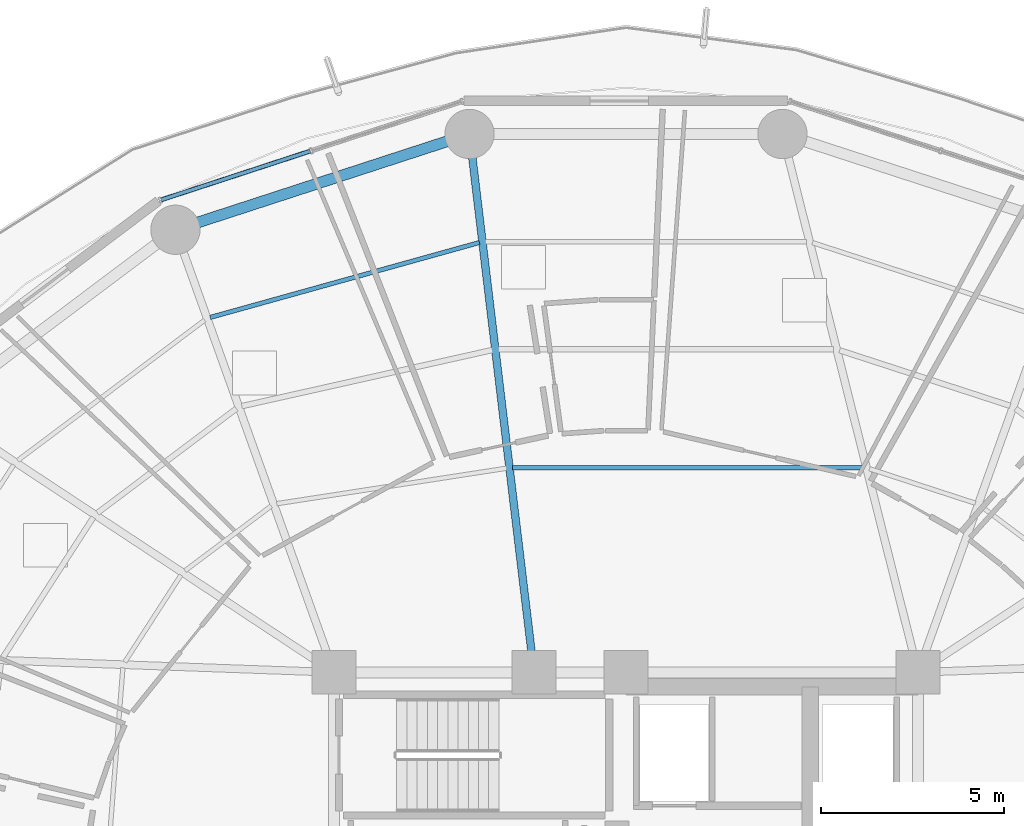
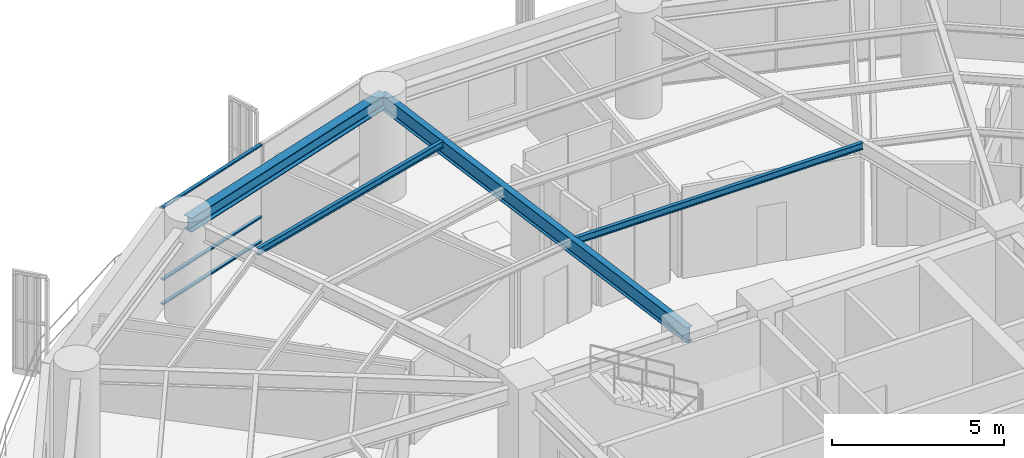
# One storey, part 21 of 37: 4 beams, 3 members, 1 element without a shape of its own.
"""IFC4 building model written with IfcOpenShell, lengths in metres."""

from ifc_helpers import new_model, si_unit, direction, frame, origin, origin_2d, place, context, subcontext, project, spatial, hollow_rectangle, i_section, extrude, material, layer, layer_set, material_profile, profile_set, type_object, element, aggregate, save


model = new_model("IFC4")

# Units and contexts
model_context = context("Model", 3, precision=1e-05, world=origin(), true_north=direction((0.0, 1.0)))
body_context = subcontext(model_context, "Body", "Model", "MODEL_VIEW")
ifc_project = project(units=[si_unit("LENGTHUNIT", "METRE"), si_unit("AREAUNIT", "SQUARE_METRE"), si_unit("VOLUMEUNIT", "CUBIC_METRE"), si_unit("PLANEANGLEUNIT", "RADIAN"), si_unit("MASSUNIT", "GRAM", prefix="KILO")], contexts=[model_context])

# Site, building, storey
site_placement = place(None, origin())
site = spatial("IfcSite", under=ifc_project, at=site_placement, CompositionType="ELEMENT")
building_placement = place(site_placement, origin())
building = spatial("IfcBuilding", under=site, at=building_placement, Name="Kelanora Arch Commons", CompositionType="ELEMENT")
storey_placement = place(building_placement, frame((0.0, 0.0, 110.10009765625)))
storey = spatial("IfcBuildingStorey", under=building, at=storey_placement, Name="L28", CompositionType="ELEMENT", Elevation=110.10009765625)

# Beams
ifc_material_1 = material(Name="Steel S355", Category="steel")
ifc_material_profile_1 = material_profile(ifc_material_1, i_section(OverallWidth=0.1201171875, OverallDepth=0.239990234375, WebThickness=0.006103515625, FlangeThickness=0.009765625, FilletRadius=0.014892578125, at=origin_2d()), Name="IPE240")
ifc_profile_set_1 = profile_set([ifc_material_profile_1], Name="Steel S355")
beam_type_1 = type_object("IfcBeamType", Name="BM-JST-02", PredefinedType="JOIST", material=ifc_profile_set_1)
beam_1_placement = place(storey_placement, frame((80.50341796875, 70.602783203125, 3.369873046875), z_axis=(-1.0, 0.0, 0.0), x_axis=(0.0, -1.0, 0.0)))
element("IfcBeam", 1, at=beam_1_placement, inside=storey, type_object=beam_type_1, Name="Secondary Chord Joist BJA-08 L28", PredefinedType="JOIST", context=body_context, shape_type="SweptSolid", body=[
    extrude(i_section(OverallWidth=0.1201171875, OverallDepth=0.239990234375, WebThickness=0.006103515625, FlangeThickness=0.009765625, FilletRadius=0.014892578125, at=origin_2d()), origin(), (0.0, 0.0, 1.0), 9.609375),
])
beam_2_placement = place(storey_placement, frame((69.985595703125, 76.77294921875, 3.369873046875), z_axis=(-0.963385760896, -0.268119144603, 0.0), x_axis=(0.268119144603, -0.963385760896, 0.0)))
element("IfcBeam", 2, at=beam_2_placement, inside=storey, type_object=beam_type_1, Name="Secondary Chord Joist BJC-10 L28", PredefinedType="JOIST", context=body_context, shape_type="SweptSolid", body=[
    extrude(i_section(OverallWidth=0.1201171875, OverallDepth=0.239990234375, WebThickness=0.006103515625, FlangeThickness=0.009765625, FilletRadius=0.014892578125, at=origin_2d()), origin(), (0.0, 0.0, 1.0), 7.656005859375),
])
ifc_material_profile_2 = material_profile(ifc_material_1, i_section(OverallWidth=0.2099609375, OverallDepth=0.550048828125, WebThickness=0.010986328125, FlangeThickness=0.01708984375, FilletRadius=0.02392578125, at=origin_2d()), Name="IPE550")
ifc_profile_set_2 = profile_set([ifc_material_profile_2], Name="Steel S355")
beam_type_2 = type_object("IfcBeamType", Name="BM-RAD-Z2", PredefinedType="BEAM", material=ifc_profile_set_2)
beam_3_placement = place(storey_placement, frame((71.47998046875, 65.0, 3.21484375), z_axis=(-0.118897572414, 0.992906524943, 0.0), x_axis=(-0.992906524943, -0.118897572414, 0.0)))
element("IfcBeam", 3, at=beam_3_placement, inside=storey, type_object=beam_type_2, Name="Radial Floor Girder BR-10 L28", PredefinedType="BEAM", context=body_context, shape_type="SweptSolid", body=[
    extrude(i_section(OverallWidth=0.2099609375, OverallDepth=0.550048828125, WebThickness=0.010986328125, FlangeThickness=0.01708984375, FilletRadius=0.02392578125, at=origin_2d()), origin(), (0.0, 0.0, 1.0), 14.849853515625),
])
ifc_material_profile_3 = material_profile(ifc_material_1, i_section(OverallWidth=0.300048828125, OverallDepth=0.5, WebThickness=0.014404296875, FlangeThickness=0.028076171875, FilletRadius=0.027099609375, at=origin_2d()), Name="HEB500")
ifc_profile_set_3 = profile_set([ifc_material_profile_3], Name="Steel S355")
beam_type_3 = type_object("IfcBeamType", Name="BM-SPN-Z2", PredefinedType="SPANDREL", material=ifc_profile_set_3)
beam_4_placement = place(storey_placement, frame((69.71435546875, 79.74462890625, 3.239990234375), z_axis=(-0.950856631974, -0.309631499418, 0.0), x_axis=(0.309631499418, -0.950856631974, 0.0)))
element("IfcBeam", 4, at=beam_4_placement, inside=storey, type_object=beam_type_3, Name="Perimeter Spandrel Beam BS-10 L28", PredefinedType="SPANDREL", context=body_context, shape_type="SweptSolid", body=[
    extrude(i_section(OverallWidth=0.300048828125, OverallDepth=0.5, WebThickness=0.014404296875, FlangeThickness=0.028076171875, FilletRadius=0.027099609375, at=origin_2d()), origin(), (0.0, 0.0, 1.0), 8.470703125),
])

# Curtain wall, members
ifc_material_2 = material(Name="Terracotta ceramic-fritted low-E glass and aluminium", Category="masonry")
ifc_layer = layer(ifc_material_2, 0.159912109375)
ifc_layer_set = layer_set([ifc_layer], Name="Terracotta ceramic-fritted low-E glass and aluminium")
curtain_wall_type = type_object("IfcCurtainWallType", Name="CW-SYS-01", PredefinedType="NOTDEFINED", material=ifc_layer_set)
curtain_wall_placement = place(storey_placement, origin())
curtain_wall = element("IfcCurtainWall", 5, at=curtain_wall_placement, inside=storey, type_object=curtain_wall_type, Name="Unitised Curtain Wall L28-B05", PredefinedType="NOTDEFINED")
ifc_material_3 = material(Name="Powder-coated aluminium terracotta", Category="masonry")
ifc_material_profile_4 = material_profile(ifc_material_3, hollow_rectangle(XDim=0.1201171875, YDim=0.06005859375, WallThickness=0.0048828125, InnerFilletRadius=0.0048828125, OuterFilletRadius=0.010009765625, at=origin_2d()), Name="CWT120x60")
ifc_profile_set_4 = profile_set([ifc_material_profile_4], Name="Powder-coated aluminium terracotta")
member_type = type_object("IfcMemberType", Name="CWT-STD", PredefinedType="USERDEFINED", material=ifc_profile_set_4)
member_1_placement = place(storey_placement, frame((65.348876953125, 79.275390625, 0.02978515625), z_axis=(-0.950466230394, -0.310827838008, 0.0), x_axis=(0.310827838008, -0.950466230394, 0.0)))
member_1 = element("IfcMember", 6, at=member_1_placement, type_object=member_type, Name="CW-01 transom 2.1", ObjectType="TRANSOM", PredefinedType="USERDEFINED", context=body_context, shape_type="SweptSolid", body=[
    extrude(hollow_rectangle(XDim=0.1201171875, YDim=0.06005859375, WallThickness=0.0048828125, InnerFilletRadius=0.0048828125, OuterFilletRadius=0.010009765625, at=origin_2d()), origin(), (0.0, 0.0, 1.0), 4.2900390625),
])
member_2_placement = place(storey_placement, frame((65.348876953125, 79.275390625, 0.89990234375), z_axis=(-0.950466230394, -0.310827838008, 0.0), x_axis=(0.310827838008, -0.950466230394, 0.0)))
member_2 = element("IfcMember", 7, at=member_2_placement, type_object=member_type, Name="CW-01 transom 2.2", ObjectType="TRANSOM", PredefinedType="USERDEFINED", context=body_context, shape_type="SweptSolid", body=[
    extrude(hollow_rectangle(XDim=0.1201171875, YDim=0.06005859375, WallThickness=0.0048828125, InnerFilletRadius=0.0048828125, OuterFilletRadius=0.010009765625, at=origin_2d()), origin(), (0.0, 0.0, 1.0), 4.2900390625),
])
member_3_placement = place(storey_placement, frame((65.348876953125, 79.275390625, 3.44482421875), z_axis=(-0.950466230394, -0.310827838008, 0.0), x_axis=(0.310827838008, -0.950466230394, 0.0)))
member_3 = element("IfcMember", 8, at=member_3_placement, type_object=member_type, Name="CW-01 transom 2.3", ObjectType="TRANSOM", PredefinedType="USERDEFINED", context=body_context, shape_type="SweptSolid", body=[
    extrude(hollow_rectangle(XDim=0.1201171875, YDim=0.06005859375, WallThickness=0.0048828125, InnerFilletRadius=0.0048828125, OuterFilletRadius=0.010009765625, at=origin_2d()), origin(), (0.0, 0.0, 1.0), 4.2900390625),
])
aggregate(curtain_wall, [member_1, member_2, member_3])

save(model, "model.ifc")
